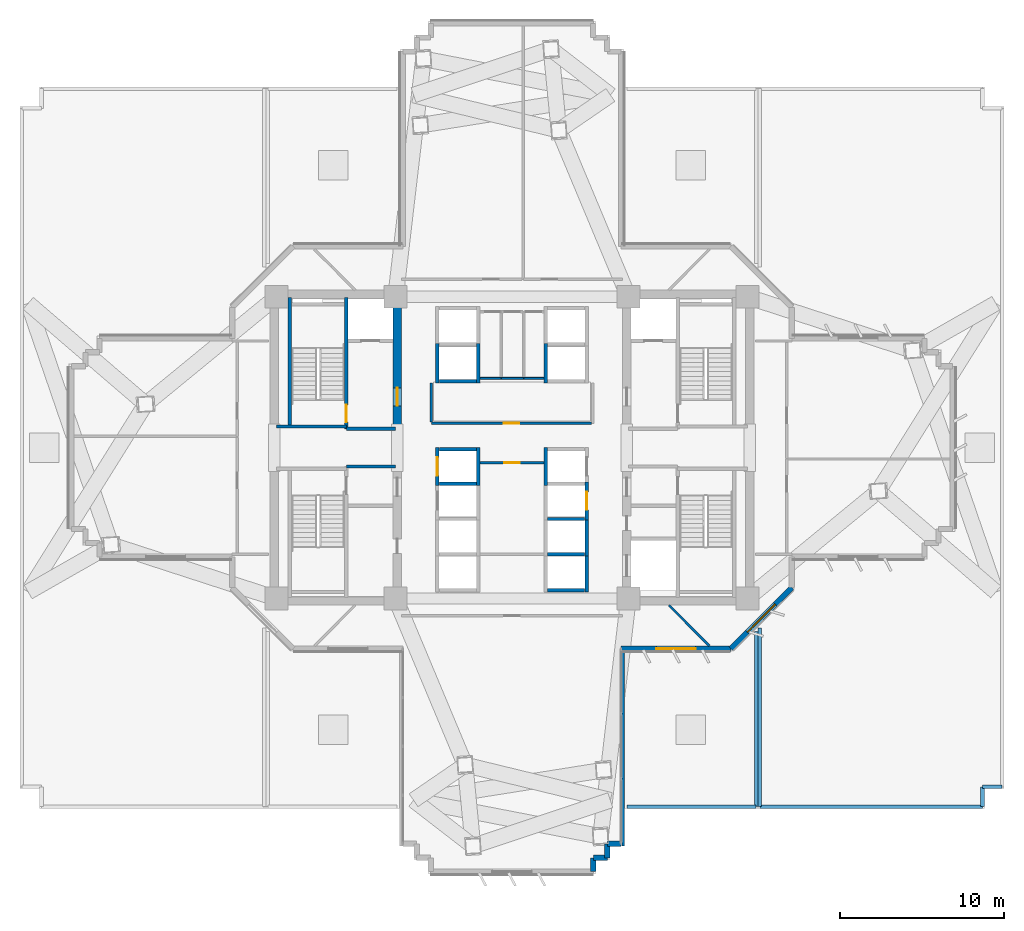
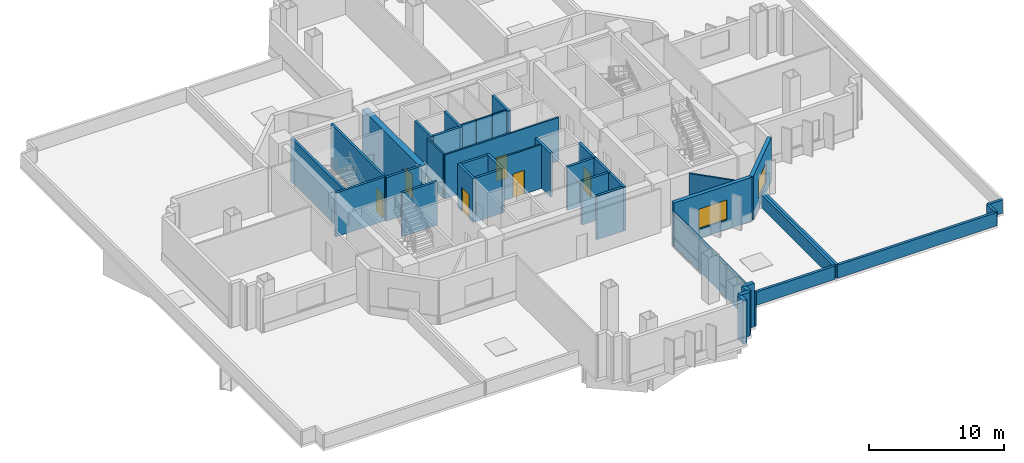
# One storey, part 8 of 15: 41 walls, 6 doors, 2 windows, 8 openings.
"""IFC4 building model written with IfcOpenShell, lengths in metres."""

from ifc_helpers import new_model, si_unit, direction, frame, frame_2d, origin, place, context, subcontext, project, spatial, rectangle, extrude, source, transform, mapped, material, layer, layer_set, type_object, element, fill, save


model = new_model("IFC4")

# Units and contexts
model_context = context("Model", 3, precision=1e-05, world=origin(), true_north=direction((0.0, 1.0)))
body_context = subcontext(model_context, "Body", "Model", "MODEL_VIEW")
ifc_project = project(units=[si_unit("LENGTHUNIT", "METRE"), si_unit("AREAUNIT", "SQUARE_METRE"), si_unit("VOLUMEUNIT", "CUBIC_METRE"), si_unit("PLANEANGLEUNIT", "RADIAN"), si_unit("MASSUNIT", "GRAM", prefix="KILO")], contexts=[model_context])

# Site, building, storey
site_placement = place(None, origin())
site = spatial("IfcSite", under=ifc_project, at=site_placement, CompositionType="ELEMENT")
building_placement = place(site_placement, origin())
building = spatial("IfcBuilding", under=site, at=building_placement, Name="Zahravan Cultural Tower", CompositionType="ELEMENT")
storey_placement = place(building_placement, frame((0.0, 0.0, 29.10009765625)))
storey = spatial("IfcBuildingStorey", under=building, at=storey_placement, Name="L05", CompositionType="ELEMENT", Elevation=29.10009765625)

# Wall, opening, door
ifc_material_1 = material(Name="Concrete C60/75", Category="concrete")
ifc_layer_1 = layer(ifc_material_1, 0.5)
ifc_layer_set_1 = layer_set([ifc_layer_1], Name="Concrete C60/75")
wall_type_1 = type_object("IfcWallType", Name="CW-SHEAR-500-C60", PredefinedType="SHEAR", material=ifc_layer_set_1)
wall_1_placement = place(storey_placement, frame((29.0, 28.050048828125, 0.0), z_axis=(0.0, 0.0, 1.0), x_axis=(0.0, 1.0, 0.0)))
wall_1 = element("IfcWall", 1, at=wall_1_placement, inside=storey, type_object=wall_type_1, Name="L05 Core Shear Wall CW-W-EN-L05", PredefinedType="SHEAR", context=body_context, shape_type="SweptSolid", body=[
    extrude(rectangle(XDim=8.550048828125, YDim=0.5, at=frame_2d((4.27490234375, 0.0))), origin(), (0.0, 0.0, 1.0), 3.949951171875),
])
opening_1_placement = place(wall_1_placement, frame((1.5, 0.0, 0.0)))
opening_1 = element("IfcOpeningElement", 2, at=opening_1_placement, cuts=wall_1, Name="Opening D-L05-05", PredefinedType="OPENING", context=body_context, shape_type="SweptSolid", body=[
    extrude(rectangle(XDim=1.10009765625, YDim=2.199951171875, at=frame_2d((0.550048828125, 1.10009765625))), frame((0.0, 0.260009765625, 0.0), z_axis=(0.0, -1.0, 0.0), x_axis=(1.0, 0.0, 0.0)), (0.0, 0.0, 1.0), 0.52001953125),
])
ifc_material_2 = material(Name="Steel ASTM A572 Grade 50", Category="steel")
door_type_1 = type_object("IfcDoorType", Name="DR-LOBBY-1100", OperationType="NOTDEFINED", PredefinedType="DOOR", material=ifc_material_2)
shared_shape_1 = source(origin(), body_context, "Body", "SweptSolid", [
    extrude(rectangle(XDim=1.10009765625, YDim=2.199951171875, at=frame_2d((0.550048828125, 1.10009765625))), frame((0.0, 0.02490234375, 0.0), z_axis=(0.0, -1.0, 0.0), x_axis=(1.0, 0.0, 0.0)), (0.0, 0.0, 1.0), 0.050048828125),
])
door_1_placement = place(opening_1_placement, origin())
door_1 = element("IfcDoor", 3, at=door_1_placement, inside=storey, type_object=door_type_1, Name="L05 Door D-L05-05", OperationType="SINGLE_SWING_RIGHT", OverallHeight=2.199951171875, OverallWidth=1.10009765625, PredefinedType="DOOR", context=body_context, shape_type="MappedRepresentation", body=[
    mapped(shared_shape_1, transform((0.0, 0.0, 0.0), x_axis=(1.0, 0.0, 0.0), y_axis=(0.0, 1.0, 0.0), z_axis=(0.0, 0.0, 1.0), scale=1.0)),
])
fill(opening_1, door_1)

# Wall, opening, window
ifc_material_3 = material(Name="Precast concrete C40/50", Category="concrete")
ifc_layer_2 = layer(ifc_material_3, 0.320068359375)
ifc_layer_set_2 = layer_set([ifc_layer_2], Name="Precast concrete C40/50")
wall_type_2 = type_object("IfcWallType", Name="EW-TC-320", PredefinedType="SOLIDWALL", material=ifc_layer_set_2)
wall_2_placement = place(storey_placement, frame((53.06005859375, 18.4580078125, 0.0), z_axis=(0.0, 0.0, 1.0), x_axis=(-0.707106781187, -0.707106781187, 0.0)))
wall_2 = element("IfcWall", 4, at=wall_2_placement, inside=storey, type_object=wall_type_2, Name="L05 Exterior Masonry Frame Wall 13", PredefinedType="SOLIDWALL", context=body_context, shape_type="SweptSolid", body=[
    extrude(rectangle(XDim=5.258056640625, YDim=0.320068359375, at=frame_2d((2.62890625, 0.0))), origin(), (0.0, 0.0, 1.0), 3.949951171875),
])
opening_2_placement = place(wall_2_placement, frame((1.428955078125, 0.0, 0.85009765625)))
opening_2 = element("IfcOpeningElement", 5, at=opening_2_placement, cuts=wall_2, Name="Opening WN-01", PredefinedType="OPENING", context=body_context, shape_type="SweptSolid", body=[
    extrude(rectangle(XDim=2.39990234375, YDim=1.800048828125, at=frame_2d((1.199951171875, 0.89990234375))), frame((0.0, 0.169921875, 0.0), z_axis=(0.0, -1.0, 0.0), x_axis=(1.0, 0.0, 0.0)), (0.0, 0.0, 1.0), 0.340087890625),
])
ifc_material_4 = material(Name="Low-E solar-control double glazing", Category="glass")
window_type = type_object("IfcWindowType", Name="WN-REC-2400X1800", PartitioningType="DOUBLE_PANEL_VERTICAL", PredefinedType="WINDOW", material=ifc_material_4)
shared_shape_2 = source(origin(), body_context, "Body", "SweptSolid", [
    extrude(rectangle(XDim=2.39990234375, YDim=1.800048828125, at=frame_2d((1.199951171875, 0.89990234375))), frame((0.0, 0.030029296875, 0.0), z_axis=(0.0, -1.0, 0.0), x_axis=(1.0, 0.0, 0.0)), (0.0, 0.0, 1.0), 0.06005859375),
])
window_1_placement = place(opening_2_placement, origin())
window_1 = element("IfcWindow", 6, at=window_1_placement, inside=storey, type_object=window_type, Name="L05 Recessed Solar Window 03", OverallHeight=1.800048828125, OverallWidth=2.39990234375, PartitioningType="DOUBLE_PANEL_VERTICAL", PredefinedType="WINDOW", context=body_context, shape_type="MappedRepresentation", body=[
    mapped(shared_shape_2, transform((0.0, 0.0, 0.0), x_axis=(1.0, 0.0, 0.0), y_axis=(0.0, 1.0, 0.0), z_axis=(0.0, 0.0, 1.0), scale=1.0)),
])
fill(opening_2, window_1)

wall_3_placement = place(storey_placement, frame((49.342041015625, 14.739990234375, 0.0), z_axis=(0.0, 0.0, 1.0), x_axis=(-1.0, 0.0, 0.0)))
wall_3 = element("IfcWall", 7, at=wall_3_placement, inside=storey, type_object=wall_type_2, Name="L05 Exterior Masonry Frame Wall 14", PredefinedType="SOLIDWALL", context=body_context, shape_type="SweptSolid", body=[
    extrude(rectangle(XDim=6.68212890625, YDim=0.320068359375, at=frame_2d((3.341064453125, 0.0))), origin(), (0.0, 0.0, 1.0), 3.949951171875),
])
opening_3_placement = place(wall_3_placement, frame((2.14111328125, 0.0, 0.85009765625)))
opening_3 = element("IfcOpeningElement", 8, at=opening_3_placement, cuts=wall_3, Name="Opening WN-01", PredefinedType="OPENING", context=body_context, shape_type="SweptSolid", body=[
    extrude(rectangle(XDim=2.39990234375, YDim=1.800048828125, at=frame_2d((1.199951171875, 0.89990234375))), frame((0.0, 0.169921875, 0.0), z_axis=(0.0, -1.0, 0.0), x_axis=(1.0, 0.0, 0.0)), (0.0, 0.0, 1.0), 0.340087890625),
])
window_2_placement = place(opening_3_placement, origin())
window_2 = element("IfcWindow", 9, at=window_2_placement, inside=storey, type_object=window_type, Name="L05 Recessed Solar Window 04", OverallHeight=1.800048828125, OverallWidth=2.39990234375, PartitioningType="DOUBLE_PANEL_VERTICAL", PredefinedType="WINDOW", context=body_context, shape_type="MappedRepresentation", body=[
    mapped(shared_shape_2, transform((0.0, 0.0, 0.0), x_axis=(1.0, 0.0, 0.0), y_axis=(0.0, 1.0, 0.0), z_axis=(0.0, 0.0, 1.0), scale=1.0)),
])
fill(opening_3, window_2)

# Wall, opening, door
ifc_material_5 = material(Name="Gypsum plasterboard partition")
ifc_layer_3 = layer(ifc_material_5, 0.139892578125)
ifc_layer_set_3 = layer_set([ifc_layer_3], Name="Gypsum plasterboard partition")
wall_type_3 = type_object("IfcWallType", Name="W-PART-140", PredefinedType="PARTITIONING", material=ifc_layer_set_3)
wall_4_placement = place(storey_placement, frame((34.054931640625, 26.080078125, 0.0), z_axis=(0.0, 0.0, 1.0), x_axis=(1.0, 0.0, 0.0)))
wall_4 = element("IfcWall", 10, at=wall_4_placement, inside=storey, type_object=wall_type_3, Name="L05 Interior Wall 074", PredefinedType="PARTITIONING", context=body_context, shape_type="SweptSolid", body=[
    extrude(rectangle(XDim=3.89013671875, YDim=0.139892578125, at=frame_2d((1.945068359375, 0.0))), origin(), (0.0, 0.0, 1.0), 3.949951171875),
])
opening_4_placement = place(wall_4_placement, frame((1.469970703125, 0.0, 0.0)))
opening_4 = element("IfcOpeningElement", 11, at=opening_4_placement, cuts=wall_4, Name="Opening D-L05-14", PredefinedType="OPENING", context=body_context, shape_type="SweptSolid", body=[
    extrude(rectangle(XDim=0.949951171875, YDim=2.14990234375, at=frame_2d((0.47509765625, 1.074951171875))), frame((0.0, 0.079833984375, 0.0), z_axis=(0.0, -1.0, 0.0), x_axis=(1.0, 0.0, 0.0)), (0.0, 0.0, 1.0), 0.159912109375),
])
ifc_material_6 = material(Name="Anodised bronze-aluminium mullion", Category="aluminium")
door_type_2 = type_object("IfcDoorType", Name="DR-ROOM-950", OperationType="NOTDEFINED", PredefinedType="DOOR", material=ifc_material_6)
shared_shape_3 = source(origin(), body_context, "Body", "SweptSolid", [
    extrude(rectangle(XDim=0.949951171875, YDim=2.14990234375, at=frame_2d((0.47509765625, 1.074951171875))), frame((0.0, 0.02490234375, 0.0), z_axis=(0.0, -1.0, 0.0), x_axis=(1.0, 0.0, 0.0)), (0.0, 0.0, 1.0), 0.050048828125),
])
door_2_placement = place(opening_4_placement, origin())
door_2 = element("IfcDoor", 12, at=door_2_placement, inside=storey, type_object=door_type_2, Name="L05 Door D-L05-14", OperationType="SINGLE_SWING_LEFT", OverallHeight=2.14990234375, OverallWidth=0.949951171875, PredefinedType="DOOR", context=body_context, shape_type="MappedRepresentation", body=[
    mapped(shared_shape_3, transform((0.0, 0.0, 0.0), x_axis=(1.0, 0.0, 0.0), y_axis=(0.0, 1.0, 0.0), z_axis=(0.0, 0.0, 1.0), scale=1.0)),
])
fill(opening_4, door_2)

wall_5_placement = place(storey_placement, frame((40.844970703125, 28.47998046875, 0.0), z_axis=(0.0, 0.0, 1.0), x_axis=(-1.0, 0.0, 0.0)))
wall_5 = element("IfcWall", 13, at=wall_5_placement, inside=storey, type_object=wall_type_3, Name="L05 Interior Wall 077", PredefinedType="PARTITIONING", context=body_context, shape_type="SweptSolid", body=[
    extrude(rectangle(XDim=9.764892578125, YDim=0.139892578125, at=frame_2d((4.88232421875, 0.0))), origin(), (0.0, 0.0, 1.0), 3.949951171875),
])
opening_5_placement = place(wall_5_placement, frame((4.407470703125, 0.0, 0.0)))
opening_5 = element("IfcOpeningElement", 14, at=opening_5_placement, cuts=wall_5, Name="Opening D-L05-15", PredefinedType="OPENING", context=body_context, shape_type="SweptSolid", body=[
    extrude(rectangle(XDim=0.949951171875, YDim=2.14990234375, at=frame_2d((0.47509765625, 1.074951171875))), frame((0.0, 0.079833984375, 0.0), z_axis=(0.0, -1.0, 0.0), x_axis=(1.0, 0.0, 0.0)), (0.0, 0.0, 1.0), 0.159912109375),
])
door_3_placement = place(opening_5_placement, origin())
door_3 = element("IfcDoor", 15, at=door_3_placement, inside=storey, type_object=door_type_2, Name="L05 Door D-L05-15", OperationType="SINGLE_SWING_RIGHT", OverallHeight=2.14990234375, OverallWidth=0.949951171875, PredefinedType="DOOR", context=body_context, shape_type="MappedRepresentation", body=[
    mapped(shared_shape_3, transform((0.0, 0.0, 0.0), x_axis=(1.0, 0.0, 0.0), y_axis=(0.0, 1.0, 0.0), z_axis=(0.0, 0.0, 1.0), scale=1.0)),
])
fill(opening_5, door_3)

ifc_material_7 = material(Name="Concrete C45/55", Category="concrete")
ifc_layer_4 = layer(ifc_material_7, 0.199951171875)
ifc_layer_set_4 = layer_set([ifc_layer_4], Name="Concrete C45/55")
wall_type_4 = type_object("IfcWallType", Name="W-SHAFT-200", PredefinedType="SOLIDWALL", material=ifc_layer_set_4)
wall_6_placement = place(storey_placement, frame((25.89990234375, 28.14990234375, 0.0), z_axis=(0.0, 0.0, 1.0), x_axis=(0.0, 1.0, 0.0)))
wall_6 = element("IfcWall", 16, at=wall_6_placement, inside=storey, type_object=wall_type_4, Name="L05 Interior Wall 006", PredefinedType="SOLIDWALL", context=body_context, shape_type="SweptSolid", body=[
    extrude(rectangle(XDim=8.0, YDim=0.199951171875, at=frame_2d((4.0, 0.0))), origin(), (0.0, 0.0, 1.0), 3.949951171875),
])
opening_6_placement = place(wall_6_placement, frame((0.39990234375, 0.0, 0.0)))
opening_6 = element("IfcOpeningElement", 17, at=opening_6_placement, cuts=wall_6, Name="Opening D-L05-01", PredefinedType="OPENING", context=body_context, shape_type="SweptSolid", body=[
    extrude(rectangle(XDim=1.050048828125, YDim=2.14990234375, at=frame_2d((0.52490234375, 1.074951171875))), frame((0.0, 0.10986328125, 0.0), z_axis=(0.0, -1.0, 0.0), x_axis=(1.0, 0.0, 0.0)), (0.0, 0.0, 1.0), 0.219970703125),
])
door_type_3 = type_object("IfcDoorType", Name="DR-STAIR-1050", OperationType="NOTDEFINED", PredefinedType="DOOR", material=ifc_material_2)
shared_shape_4 = source(origin(), body_context, "Body", "SweptSolid", [
    extrude(rectangle(XDim=1.050048828125, YDim=2.14990234375, at=frame_2d((0.52490234375, 1.074951171875))), frame((0.0, 0.02490234375, 0.0), z_axis=(0.0, -1.0, 0.0), x_axis=(1.0, 0.0, 0.0)), (0.0, 0.0, 1.0), 0.050048828125),
])
door_4_placement = place(opening_6_placement, origin())
door_4 = element("IfcDoor", 18, at=door_4_placement, inside=storey, type_object=door_type_3, Name="L05 Door D-L05-01", OperationType="SINGLE_SWING_RIGHT", OverallHeight=2.14990234375, OverallWidth=1.050048828125, PredefinedType="DOOR", context=body_context, shape_type="MappedRepresentation", body=[
    mapped(shared_shape_4, transform((0.0, 0.0, 0.0), x_axis=(1.0, 0.0, 0.0), y_axis=(0.0, 1.0, 0.0), z_axis=(0.0, 0.0, 1.0), scale=1.0)),
])
fill(opening_6, door_4)

wall_7_placement = place(storey_placement, frame((31.449951171875, 24.699951171875, 0.0), z_axis=(0.0, 0.0, 1.0), x_axis=(0.0, 1.0, 0.0)))
wall_7 = element("IfcWall", 19, at=wall_7_placement, inside=storey, type_object=wall_type_4, Name="L05 Interior Wall 054", PredefinedType="SOLIDWALL", context=body_context, shape_type="SweptSolid", body=[
    extrude(rectangle(XDim=2.300048828125, YDim=0.199951171875, at=frame_2d((1.14990234375, 0.0))), origin(), (0.0, 0.0, 1.0), 3.949951171875),
])
opening_7_placement = place(wall_7_placement, frame((0.60009765625, 0.0, 0.0)))
opening_7 = element("IfcOpeningElement", 20, at=opening_7_placement, cuts=wall_7, Name="Opening LD-L05-04", PredefinedType="OPENING", context=body_context, shape_type="SweptSolid", body=[
    extrude(rectangle(XDim=1.10009765625, YDim=2.14990234375, at=frame_2d((0.550048828125, 1.074951171875))), frame((0.0, 0.10986328125, 0.0), z_axis=(0.0, -1.0, 0.0), x_axis=(1.0, 0.0, 0.0)), (0.0, 0.0, 1.0), 0.219970703125),
])
door_type_4 = type_object("IfcDoorType", Name="DR-LIFT-1100", OperationType="DOUBLE_DOOR_SLIDING", PredefinedType="DOOR", material=ifc_material_2)
shared_shape_5 = source(origin(), body_context, "Body", "SweptSolid", [
    extrude(rectangle(XDim=1.10009765625, YDim=2.14990234375, at=frame_2d((0.550048828125, 1.074951171875))), frame((0.0, 0.02490234375, 0.0), z_axis=(0.0, -1.0, 0.0), x_axis=(1.0, 0.0, 0.0)), (0.0, 0.0, 1.0), 0.050048828125),
])
door_5_placement = place(opening_7_placement, origin())
door_5 = element("IfcDoor", 21, at=door_5_placement, inside=storey, type_object=door_type_4, Name="L05 Door LD-L05-04", OperationType="DOUBLE_DOOR_SLIDING", OverallHeight=2.14990234375, OverallWidth=1.10009765625, PredefinedType="DOOR", context=body_context, shape_type="MappedRepresentation", body=[
    mapped(shared_shape_5, transform((0.0, 0.0, 0.0), x_axis=(1.0, 0.0, 0.0), y_axis=(0.0, 1.0, 0.0), z_axis=(0.0, 0.0, 1.0), scale=1.0)),
])
fill(opening_7, door_5)

wall_8_placement = place(storey_placement, frame((40.550048828125, 22.60009765625, 0.0), z_axis=(0.0, 0.0, 1.0), x_axis=(0.0, 1.0, 0.0)))
wall_8 = element("IfcWall", 22, at=wall_8_placement, inside=storey, type_object=wall_type_4, Name="L05 Interior Wall 065", PredefinedType="SOLIDWALL", context=body_context, shape_type="SweptSolid", body=[
    extrude(rectangle(XDim=2.2998046875, YDim=0.199951171875, at=frame_2d((1.14990234375, 0.0))), origin(), (0.0, 0.0, 1.0), 3.949951171875),
])
opening_8_placement = place(wall_8_placement, frame((0.60009765625, 0.0, 0.0)))
opening_8 = element("IfcOpeningElement", 23, at=opening_8_placement, cuts=wall_8, Name="Opening LD-L05-07", PredefinedType="OPENING", context=body_context, shape_type="SweptSolid", body=[
    extrude(rectangle(XDim=1.10009765625, YDim=2.14990234375, at=frame_2d((0.550048828125, 1.074951171875))), frame((0.0, 0.10986328125, 0.0), z_axis=(0.0, -1.0, 0.0), x_axis=(1.0, 0.0, 0.0)), (0.0, 0.0, 1.0), 0.219970703125),
])
door_6_placement = place(opening_8_placement, origin())
door_6 = element("IfcDoor", 24, at=door_6_placement, inside=storey, type_object=door_type_4, Name="L05 Door LD-L05-07", OperationType="DOUBLE_DOOR_SLIDING", OverallHeight=2.14990234375, OverallWidth=1.10009765625, PredefinedType="DOOR", context=body_context, shape_type="MappedRepresentation", body=[
    mapped(shared_shape_5, transform((0.0, 0.0, 0.0), x_axis=(1.0, 0.0, 0.0), y_axis=(0.0, 1.0, 0.0), z_axis=(0.0, 0.0, 1.0), scale=1.0)),
])
fill(opening_8, door_6)

# Walls
ifc_layer_5 = layer(ifc_material_3, 0.219970703125)
ifc_layer_set_5 = layer_set([ifc_layer_5], Name="Precast concrete C40/50")
wall_type_5 = type_object("IfcWallType", Name="EW-PARAPET-220", PredefinedType="PARAPET", material=ifc_layer_set_5)
shared_shape_6 = source(origin(), body_context, "Body", "SweptSolid", [
    extrude(rectangle(XDim=1.199951171875, YDim=0.219970703125, at=frame_2d((0.60009765625, 0.0))), origin(), (0.0, 0.0, 1.0), 1.199951171875),
])
for number, where, z_axis, x_axis, name in (
    (25, (65.889892578125, 6.31005859375, 0.0), (0.0, 0.0, 1.0), (-1.0, 0.0, 0.0), "L05 Setback Roof Parapet 8"),
    (26, (64.68994140625, 6.31005859375, 0.0), (0.0, 0.0, 1.0), (0.0, -1.0, 0.0), "L05 Setback Roof Parapet 9"),
):
    element("IfcWall", number, at=place(storey_placement, frame(where, z_axis=z_axis, x_axis=x_axis)), inside=storey, type_object=wall_type_5, Name=name, PredefinedType="PARAPET", context=body_context, shape_type="MappedRepresentation", body=[
        mapped(shared_shape_6, transform((0.0, 0.0, 0.0), x_axis=(1.0, 0.0, 0.0), y_axis=(0.0, 1.0, 0.0), z_axis=(0.0, 0.0, 1.0), scale=1.0)),
    ])
shared_shape_7 = source(origin(), body_context, "Body", "SweptSolid", [
    extrude(rectangle(XDim=13.579833984375, YDim=0.219970703125, at=frame_2d((6.7900390625, 0.0))), origin(), (0.0, 0.0, 1.0), 1.199951171875),
])
wall_9_placement = place(storey_placement, frame((64.68994140625, 5.110107421875, 0.0), z_axis=(0.0, 0.0, 1.0), x_axis=(-1.0, 0.0, 0.0)))
element("IfcWall", 27, at=wall_9_placement, inside=storey, type_object=wall_type_5, Name="L05 Setback Roof Parapet 1", PredefinedType="PARAPET", context=body_context, shape_type="MappedRepresentation", body=[
    mapped(shared_shape_7, transform((0.0, 0.0, 0.0), x_axis=(1.0, 0.0, 0.0), y_axis=(0.0, 1.0, 0.0), z_axis=(0.0, 0.0, 1.0), scale=1.0)),
])
shared_shape_8 = source(origin(), body_context, "Body", "SweptSolid", [
    extrude(rectangle(XDim=10.888671875, YDim=0.219970703125, at=frame_2d((5.4443359375, 0.0))), origin(), (0.0, 0.0, 1.0), 1.199951171875),
])
wall_10_placement = place(storey_placement, frame((51.110107421875, 5.110107421875, 0.0), z_axis=(0.0, 0.0, 1.0), x_axis=(0.0, 1.0, 0.0)))
element("IfcWall", 28, at=wall_10_placement, inside=storey, type_object=wall_type_5, Name="L05 Setback Roof Parapet 2", PredefinedType="PARAPET", context=body_context, shape_type="MappedRepresentation", body=[
    mapped(shared_shape_8, transform((0.0, 0.0, 0.0), x_axis=(1.0, 0.0, 0.0), y_axis=(0.0, 1.0, 0.0), z_axis=(0.0, 0.0, 1.0), scale=1.0)),
])
shared_shape_9 = source(origin(), body_context, "Body", "SweptSolid", [
    extrude(rectangle(XDim=7.869873046875, YDim=0.219970703125, at=frame_2d((3.93505859375, 0.0))), origin(), (0.0, 0.0, 1.0), 1.199951171875),
])
wall_11_placement = place(storey_placement, frame((50.889892578125, 5.110107421875, 0.0), z_axis=(0.0, 0.0, 1.0), x_axis=(-1.0, 0.0, 0.0)))
element("IfcWall", 29, at=wall_11_placement, inside=storey, type_object=wall_type_5, Name="L05 Setback Roof Parapet 1", PredefinedType="PARAPET", context=body_context, shape_type="MappedRepresentation", body=[
    mapped(shared_shape_9, transform((0.0, 0.0, 0.0), x_axis=(1.0, 0.0, 0.0), y_axis=(0.0, 1.0, 0.0), z_axis=(0.0, 0.0, 1.0), scale=1.0)),
])
shared_shape_10 = source(origin(), body_context, "Body", "SweptSolid", [
    extrude(rectangle(XDim=10.668701171875, YDim=0.219970703125, at=frame_2d((5.33447265625, 0.0))), origin(), (0.0, 0.0, 1.0), 1.199951171875),
])
wall_12_placement = place(storey_placement, frame((50.889892578125, 15.77880859375, 0.0), z_axis=(0.0, 0.0, 1.0), x_axis=(0.0, -1.0, 0.0)))
element("IfcWall", 30, at=wall_12_placement, inside=storey, type_object=wall_type_5, Name="L05 Setback Roof Parapet 2", PredefinedType="PARAPET", context=body_context, shape_type="MappedRepresentation", body=[
    mapped(shared_shape_10, transform((0.0, 0.0, 0.0), x_axis=(1.0, 0.0, 0.0), y_axis=(0.0, 1.0, 0.0), z_axis=(0.0, 0.0, 1.0), scale=1.0)),
])
shared_shape_11 = source(origin(), body_context, "Body", "SweptSolid", [
    extrude(rectangle(XDim=0.849853515625, YDim=0.320068359375, at=frame_2d((0.4248046875, 0.0))), origin(), (0.0, 0.0, 1.0), 3.949951171875),
])
wall_13_placement = place(storey_placement, frame((42.659912109375, 2.840087890625, 0.0), z_axis=(0.0, 0.0, 1.0), x_axis=(-1.0, 0.0, 0.0)))
element("IfcWall", 31, at=wall_13_placement, inside=storey, type_object=wall_type_2, Name="L05 Exterior Masonry Frame Wall 15", PredefinedType="SOLIDWALL", context=body_context, shape_type="MappedRepresentation", body=[
    mapped(shared_shape_11, transform((0.0, 0.0, 0.0), x_axis=(1.0, 0.0, 0.0), y_axis=(0.0, 1.0, 0.0), z_axis=(0.0, 0.0, 1.0), scale=1.0)),
])
shared_shape_12 = source(origin(), body_context, "Body", "SweptSolid", [
    extrude(rectangle(XDim=0.85009765625, YDim=0.320068359375, at=frame_2d((0.425048828125, 0.0))), origin(), (0.0, 0.0, 1.0), 3.949951171875),
])
for number, where, z_axis, x_axis, name in (
    (32, (41.81005859375, 2.840087890625, 0.0), (0.0, 0.0, 1.0), (0.0, -1.0, 0.0), "L05 Exterior Masonry Frame Wall 16"),
    (33, (41.81005859375, 1.989990234375, 0.0), (0.0, 0.0, 1.0), (-1.0, 0.0, 0.0), "L05 Exterior Masonry Frame Wall 17"),
    (34, (40.9599609375, 1.989990234375, 0.0), (0.0, 0.0, 1.0), (0.0, -1.0, 0.0), "L05 Exterior Masonry Frame Wall 18"),
):
    element("IfcWall", number, at=place(storey_placement, frame(where, z_axis=z_axis, x_axis=x_axis)), inside=storey, type_object=wall_type_2, Name=name, PredefinedType="SOLIDWALL", context=body_context, shape_type="MappedRepresentation", body=[
        mapped(shared_shape_12, transform((0.0, 0.0, 0.0), x_axis=(1.0, 0.0, 0.0), y_axis=(0.0, 1.0, 0.0), z_axis=(0.0, 0.0, 1.0), scale=1.0)),
    ])
shared_shape_13 = source(origin(), body_context, "Body", "SweptSolid", [
    extrude(rectangle(XDim=7.869873046875, YDim=0.199951171875, at=frame_2d((3.93505859375, 0.0))), origin(), (0.0, 0.0, 1.0), 3.949951171875),
])
wall_14_placement = place(storey_placement, frame((22.449951171875, 28.280029296875, 0.0), z_axis=(0.0, 0.0, 1.0), x_axis=(0.0, 1.0, 0.0)))
element("IfcWall", 35, at=wall_14_placement, inside=storey, type_object=wall_type_4, Name="L05 Interior Wall 002", PredefinedType="SOLIDWALL", context=body_context, shape_type="MappedRepresentation", body=[
    mapped(shared_shape_13, transform((0.0, 0.0, 0.0), x_axis=(1.0, 0.0, 0.0), y_axis=(0.0, 1.0, 0.0), z_axis=(0.0, 0.0, 1.0), scale=1.0)),
])
shared_shape_14 = source(origin(), body_context, "Body", "SweptSolid", [
    extrude(rectangle(XDim=4.25, YDim=0.199951171875, at=frame_2d((2.125, 0.0))), origin(), (0.0, 0.0, 1.0), 3.949951171875),
])
wall_15_placement = place(storey_placement, frame((21.64990234375, 28.284912109375, 0.0), z_axis=(0.0, 0.0, 1.0), x_axis=(1.0, 0.0, 0.0)))
element("IfcWall", 36, at=wall_15_placement, inside=storey, type_object=wall_type_4, Name="L05 Interior Wall 011", PredefinedType="SOLIDWALL", context=body_context, shape_type="MappedRepresentation", body=[
    mapped(shared_shape_14, transform((0.0, 0.0, 0.0), x_axis=(1.0, 0.0, 0.0), y_axis=(0.0, 1.0, 0.0), z_axis=(0.0, 0.0, 1.0), scale=1.0)),
])
shared_shape_15 = source(origin(), body_context, "Body", "SweptSolid", [
    extrude(rectangle(XDim=3.0, YDim=0.199951171875, at=frame_2d((1.5, 0.0))), origin(), (0.0, 0.0, 1.0), 3.949951171875),
])
for number, where, z_axis, x_axis, name in (
    (37, (25.89990234375, 25.85009765625, 0.0), (0.0, 0.0, 1.0), (1.0, 0.0, 0.0), "L05 Interior Wall 010"),
    (38, (25.89990234375, 28.14990234375, 0.0), (0.0, 0.0, 1.0), (1.0, 0.0, 0.0), "L05 Interior Wall 012"),
):
    element("IfcWall", number, at=place(storey_placement, frame(where, z_axis=z_axis, x_axis=x_axis)), inside=storey, type_object=wall_type_4, Name=name, PredefinedType="SOLIDWALL", context=body_context, shape_type="MappedRepresentation", body=[
        mapped(shared_shape_15, transform((0.0, 0.0, 0.0), x_axis=(1.0, 0.0, 0.0), y_axis=(0.0, 1.0, 0.0), z_axis=(0.0, 0.0, 1.0), scale=1.0)),
    ])
shared_shape_16 = source(origin(), body_context, "Body", "SweptSolid", [
    extrude(rectangle(XDim=2.400146484375, YDim=0.199951171875, at=frame_2d((1.2001953125, 0.0))), origin(), (0.0, 0.0, 1.0), 3.949951171875),
])
for number, where, z_axis, x_axis, name in (
    (39, (31.449951171875, 30.949951171875, 0.0), (0.0, 0.0, 1.0), (0.0, 1.0, 0.0), "L05 Interior Wall 030"),
    (40, (33.949951171875, 30.949951171875, 0.0), (0.0, 0.0, 1.0), (0.0, 1.0, 0.0), "L05 Interior Wall 031"),
    (41, (38.050048828125, 30.949951171875, 0.0), (0.0, 0.0, 1.0), (0.0, 1.0, 0.0), "L05 Interior Wall 037"),
):
    element("IfcWall", number, at=place(storey_placement, frame(where, z_axis=z_axis, x_axis=x_axis)), inside=storey, type_object=wall_type_4, Name=name, PredefinedType="SOLIDWALL", context=body_context, shape_type="MappedRepresentation", body=[
        mapped(shared_shape_16, transform((0.0, 0.0, 0.0), x_axis=(1.0, 0.0, 0.0), y_axis=(0.0, 1.0, 0.0), z_axis=(0.0, 0.0, 1.0), scale=1.0)),
    ])
shared_shape_17 = source(origin(), body_context, "Body", "SweptSolid", [
    extrude(rectangle(XDim=2.260009765625, YDim=0.199951171875, at=frame_2d((1.1298828125, 0.0))), origin(), (0.0, 0.0, 1.0), 3.949951171875),
])
for number, where, z_axis, x_axis, name in (
    (42, (31.570068359375, 31.050048828125, 0.0), (0.0, 0.0, 1.0), (1.0, 0.0, 0.0), "L05 Interior Wall 032"),
    (43, (38.169921875, 20.5, 0.0), (0.0, 0.0, 1.0), (1.0, 0.0, 0.0), "L05 Interior Wall 049"),
    (44, (38.169921875, 22.64990234375, 0.0), (0.0, 0.0, 1.0), (1.0, 0.0, 0.0), "L05 Interior Wall 050"),
    (45, (38.169921875, 18.300048828125, 0.0), (0.0, 0.0, 1.0), (1.0, 0.0, 0.0), "L05 Interior Wall 053"),
    (46, (31.570068359375, 24.800048828125, 0.0), (0.0, 0.0, 1.0), (1.0, 0.0, 0.0), "L05 Interior Wall 056"),
    (47, (31.570068359375, 26.89990234375, 0.0), (0.0, 0.0, 1.0), (1.0, 0.0, 0.0), "L05 Interior Wall 057"),
):
    element("IfcWall", number, at=place(storey_placement, frame(where, z_axis=z_axis, x_axis=x_axis)), inside=storey, type_object=wall_type_4, Name=name, PredefinedType="SOLIDWALL", context=body_context, shape_type="MappedRepresentation", body=[
        mapped(shared_shape_17, transform((0.0, 0.0, 0.0), x_axis=(1.0, 0.0, 0.0), y_axis=(0.0, 1.0, 0.0), z_axis=(0.0, 0.0, 1.0), scale=1.0)),
    ])
shared_shape_18 = source(origin(), body_context, "Body", "SweptSolid", [
    extrude(rectangle(XDim=2.35009765625, YDim=0.199951171875, at=frame_2d((1.175048828125, 0.0))), origin(), (0.0, 0.0, 1.0), 3.949951171875),
])
for number, where, z_axis, x_axis, name in (
    (48, (40.550048828125, 20.39990234375, 0.0), (0.0, 0.0, 1.0), (0.0, 1.0, 0.0), "L05 Interior Wall 048"),
    (49, (40.550048828125, 18.199951171875, 0.0), (0.0, 0.0, 1.0), (0.0, 1.0, 0.0), "L05 Interior Wall 052"),
):
    element("IfcWall", number, at=place(storey_placement, frame(where, z_axis=z_axis, x_axis=x_axis)), inside=storey, type_object=wall_type_4, Name=name, PredefinedType="SOLIDWALL", context=body_context, shape_type="MappedRepresentation", body=[
        mapped(shared_shape_18, transform((0.0, 0.0, 0.0), x_axis=(1.0, 0.0, 0.0), y_axis=(0.0, 1.0, 0.0), z_axis=(0.0, 0.0, 1.0), scale=1.0)),
    ])
shared_shape_19 = source(origin(), body_context, "Body", "SweptSolid", [
    extrude(rectangle(XDim=2.300048828125, YDim=0.199951171875, at=frame_2d((1.14990234375, 0.0))), origin(), (0.0, 0.0, 1.0), 3.949951171875),
])
for number, where, z_axis, x_axis, name in (
    (50, (33.949951171875, 24.699951171875, 0.0), (0.0, 0.0, 1.0), (0.0, 1.0, 0.0), "L05 Interior Wall 055"),
    (51, (38.050048828125, 24.699951171875, 0.0), (0.0, 0.0, 1.0), (0.0, 1.0, 0.0), "L05 Interior Wall 060"),
):
    element("IfcWall", number, at=place(storey_placement, frame(where, z_axis=z_axis, x_axis=x_axis)), inside=storey, type_object=wall_type_4, Name=name, PredefinedType="SOLIDWALL", context=body_context, shape_type="MappedRepresentation", body=[
        mapped(shared_shape_19, transform((0.0, 0.0, 0.0), x_axis=(1.0, 0.0, 0.0), y_axis=(0.0, 1.0, 0.0), z_axis=(0.0, 0.0, 1.0), scale=1.0)),
    ])
ifc_layer_6 = layer(ifc_material_5, 0.114990234375)
ifc_layer_set_6 = layer_set([ifc_layer_6], Name="Gypsum plasterboard partition")
wall_type_6 = type_object("IfcWallType", Name="W-WC-115", PredefinedType="PARTITIONING", material=ifc_layer_set_6)
shared_shape_20 = source(origin(), body_context, "Body", "SweptSolid", [
    extrude(rectangle(XDim=1.22509765625, YDim=0.114990234375, at=frame_2d((0.612548828125, 0.0))), origin(), (0.0, 0.0, 1.0), 3.949951171875),
])
wall_16_placement = place(storey_placement, frame((37.945068359375, 31.219970703125, 0.0), z_axis=(0.0, 0.0, 1.0), x_axis=(-1.0, 0.0, 0.0)))
element("IfcWall", 52, at=wall_16_placement, inside=storey, type_object=wall_type_6, Name="L05 Interior Wall 066", PredefinedType="PARTITIONING", context=body_context, shape_type="MappedRepresentation", body=[
    mapped(shared_shape_20, transform((0.0, 0.0, 0.0), x_axis=(1.0, 0.0, 0.0), y_axis=(0.0, 1.0, 0.0), z_axis=(0.0, 0.0, 1.0), scale=1.0)),
])
shared_shape_21 = source(origin(), body_context, "Body", "SweptSolid", [
    extrude(rectangle(XDim=1.28515625, YDim=0.114990234375, at=frame_2d((0.642578125, 0.0))), origin(), (0.0, 0.0, 1.0), 3.949951171875),
])
wall_17_placement = place(storey_placement, frame((35.340087890625, 31.219970703125, 0.0), z_axis=(0.0, 0.0, 1.0), x_axis=(-1.0, 0.0, 0.0)))
element("IfcWall", 53, at=wall_17_placement, inside=storey, type_object=wall_type_6, Name="L05 Interior Wall 069", PredefinedType="PARTITIONING", context=body_context, shape_type="MappedRepresentation", body=[
    mapped(shared_shape_21, transform((0.0, 0.0, 0.0), x_axis=(1.0, 0.0, 0.0), y_axis=(0.0, 1.0, 0.0), z_axis=(0.0, 0.0, 1.0), scale=1.0)),
])
shared_shape_22 = source(origin(), body_context, "Body", "SweptSolid", [
    extrude(rectangle(XDim=1.33984375, YDim=0.114990234375, at=frame_2d((0.669921875, 0.0))), origin(), (0.0, 0.0, 1.0), 3.949951171875),
])
wall_18_placement = place(storey_placement, frame((36.699951171875, 31.219970703125, 0.0), z_axis=(0.0, 0.0, 1.0), x_axis=(-1.0, 0.0, 0.0)))
element("IfcWall", 54, at=wall_18_placement, inside=storey, type_object=wall_type_6, Name="L05 Interior Wall 072", PredefinedType="PARTITIONING", context=body_context, shape_type="MappedRepresentation", body=[
    mapped(shared_shape_22, transform((0.0, 0.0, 0.0), x_axis=(1.0, 0.0, 0.0), y_axis=(0.0, 1.0, 0.0), z_axis=(0.0, 0.0, 1.0), scale=1.0)),
])
shared_shape_23 = source(origin(), body_context, "Body", "SweptSolid", [
    extrude(rectangle(XDim=2.39501953125, YDim=0.139892578125, at=frame_2d((1.197509765625, 0.0))), origin(), (0.0, 0.0, 1.0), 3.949951171875),
])
wall_19_placement = place(storey_placement, frame((31.080078125, 28.554931640625, 0.0), z_axis=(0.0, 0.0, 1.0), x_axis=(0.0, 1.0, 0.0)))
element("IfcWall", 55, at=wall_19_placement, inside=storey, type_object=wall_type_3, Name="L05 Interior Wall 078", PredefinedType="PARTITIONING", context=body_context, shape_type="MappedRepresentation", body=[
    mapped(shared_shape_23, transform((0.0, 0.0, 0.0), x_axis=(1.0, 0.0, 0.0), y_axis=(0.0, 1.0, 0.0), z_axis=(0.0, 0.0, 1.0), scale=1.0)),
])
shared_shape_24 = source(origin(), body_context, "Body", "SweptSolid", [
    extrude(rectangle(XDim=3.505126953125, YDim=0.139892578125, at=frame_2d((1.75244140625, 0.0))), origin(), (0.0, 0.0, 1.0), 3.949951171875),
])
wall_20_placement = place(storey_placement, frame((48.035888671875, 14.905029296875, 0.0), z_axis=(0.0, 0.0, 1.0), x_axis=(-0.703790445361, 0.710407635811, 0.0)))
element("IfcWall", 56, at=wall_20_placement, inside=storey, type_object=wall_type_3, Name="L05 Interior Wall 087", PredefinedType="PARTITIONING", context=body_context, shape_type="MappedRepresentation", body=[
    mapped(shared_shape_24, transform((0.0, 0.0, 0.0), x_axis=(1.0, 0.0, 0.0), y_axis=(0.0, 1.0, 0.0), z_axis=(0.0, 0.0, 1.0), scale=1.0)),
])
shared_shape_25 = source(origin(), body_context, "Body", "SweptSolid", [
    extrude(rectangle(XDim=11.85498046875, YDim=0.139892578125, at=frame_2d((5.927490234375, 0.0))), origin(), (0.0, 0.0, 1.0), 3.010009765625),
])
wall_21_placement = place(storey_placement, frame((42.78369140625, 14.574951171875, 0.0), z_axis=(0.0, 0.0, 1.0), x_axis=(-0.000308908919, -0.999999952288, 0.0)))
element("IfcWall", 57, at=wall_21_placement, inside=storey, type_object=wall_type_3, Name="L05 Interior Wall 098", PredefinedType="PARTITIONING", context=body_context, shape_type="MappedRepresentation", body=[
    mapped(shared_shape_25, transform((0.0, 0.0, 0.0), x_axis=(1.0, 0.0, 0.0), y_axis=(0.0, 1.0, 0.0), z_axis=(0.0, 0.0, 1.0), scale=1.0)),
])

save(model, "model.ifc")
